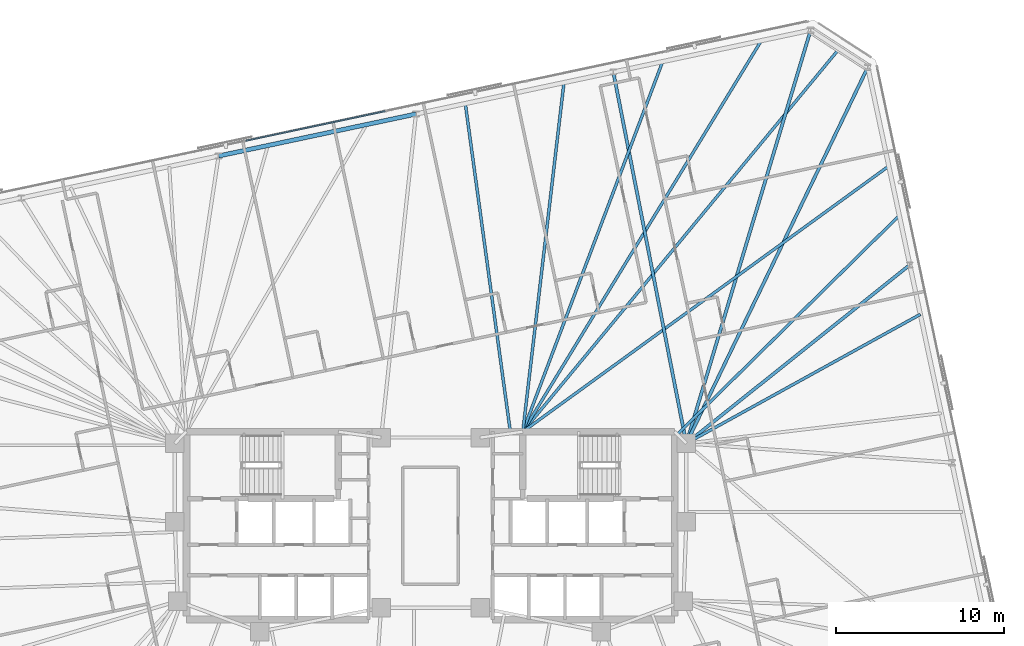
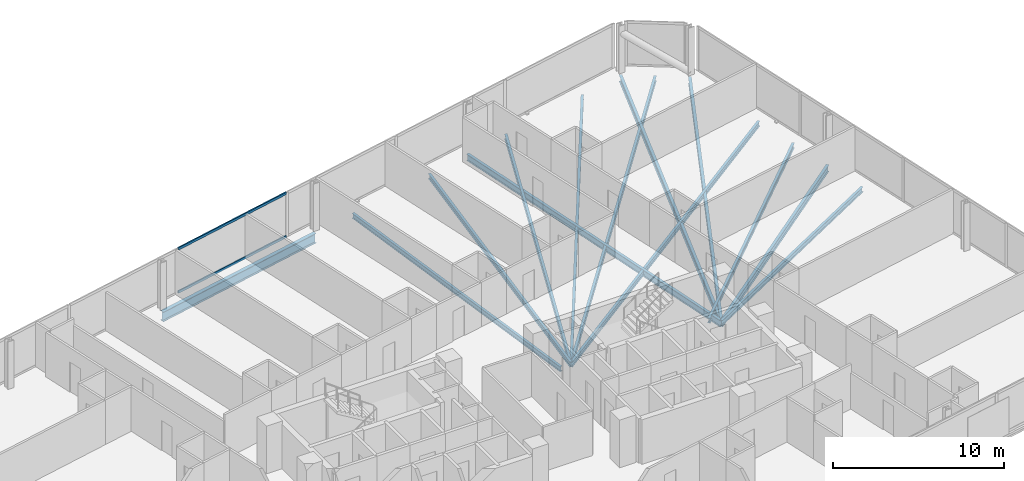
# One storey, part 10 of 20: 13 beams, 2 members, 1 element without a shape of its own.
"""IFC4 building model written with IfcOpenShell, lengths in metres."""

from ifc_helpers import new_model, si_unit, direction, frame, origin, origin_2d, place, context, subcontext, project, spatial, rectangle, i_section, extrude, material, material_profile, profile_set, type_object, element, aggregate, save


model = new_model("IFC4")

# Units and contexts
model_context = context("Model", 3, precision=1e-05, world=origin(), true_north=direction((0.0, 1.0)))
body_context = subcontext(model_context, "Body", "Model", "MODEL_VIEW")
ifc_project = project(units=[si_unit("LENGTHUNIT", "METRE"), si_unit("AREAUNIT", "SQUARE_METRE"), si_unit("VOLUMEUNIT", "CUBIC_METRE"), si_unit("PLANEANGLEUNIT", "RADIAN"), si_unit("MASSUNIT", "GRAM", prefix="KILO")], contexts=[model_context])

# Site, building, storey
site_placement = place(None, origin())
site = spatial("IfcSite", under=ifc_project, at=site_placement, CompositionType="ELEMENT")
building_placement = place(site_placement, origin())
building = spatial("IfcBuilding", under=site, at=building_placement, Name="Menara Jurai Vektor", CompositionType="ELEMENT")
storey_placement = place(building_placement, frame((0.0, 0.0, 178.60009765625)))
storey = spatial("IfcBuildingStorey", under=building, at=storey_placement, Name="L46", CompositionType="ELEMENT", Elevation=178.60009765625)

# Curtain wall, members
ifc_material_1 = material(Name="Anodised Pale Aluminium & Low-E Double Glazing", Category="aluminium")
curtain_wall_type = type_object("IfcCurtainWallType", Name="CW-BLK3", PredefinedType="NOTDEFINED", material=ifc_material_1)
curtain_wall_placement = place(storey_placement, origin())
curtain_wall = element("IfcCurtainWall", 1, at=curtain_wall_placement, inside=storey, type_object=curtain_wall_type, Name="Unitised Curtain Wall L46 F05", PredefinedType="NOTDEFINED")
ifc_material_2 = material(Name="Anodised Pale Aluminium Transom", Category="aluminium")
ifc_material_profile_1 = material_profile(ifc_material_2, rectangle(XDim=0.0849609375, YDim=0.175048828125, at=origin_2d()), Name="ALU TRN 85x175")
ifc_profile_set_1 = profile_set([ifc_material_profile_1], Name="Anodised Pale Aluminium Transom")
member_type = type_object("IfcMemberType", Name="CW-BLK3-TRN", PredefinedType="USERDEFINED", material=ifc_profile_set_1)
member_1_placement = place(storey_placement, frame((-2.716796875, 24.712890625, 0.04248046875), z_axis=(-0.978153589924, -0.207883511896, 0.0), x_axis=(0.207883511896, -0.978153589924, 0.0)))
member_1 = element("IfcMember", 2, at=member_1_placement, type_object=member_type, Name="CW-03 transom 4.1", ObjectType="TRANSOM", PredefinedType="USERDEFINED", context=body_context, shape_type="SweptSolid", body=[
    extrude(rectangle(XDim=0.0849609375, YDim=0.175048828125, at=origin_2d()), origin(), (0.0, 0.0, 1.0), 8.4921875),
])
member_2_placement = place(storey_placement, frame((-2.716796875, 24.712890625, 3.13232421875), z_axis=(-0.978153589924, -0.207883511896, 0.0), x_axis=(0.207883511896, -0.978153589924, 0.0)))
member_2 = element("IfcMember", 3, at=member_2_placement, type_object=member_type, Name="CW-03 transom 4.2", ObjectType="TRANSOM", PredefinedType="USERDEFINED", context=body_context, shape_type="SweptSolid", body=[
    extrude(rectangle(XDim=0.0849609375, YDim=0.175048828125, at=origin_2d()), origin(), (0.0, 0.0, 1.0), 8.4921875),
])
aggregate(curtain_wall, [member_1, member_2])

# Beams
ifc_material_3 = material(Name="Steel S355", Category="steel")
ifc_material_profile_2 = material_profile(ifc_material_3, i_section(OverallWidth=0.19091796875, OverallDepth=0.4599609375, WebThickness=0.010009765625, FlangeThickness=0.01611328125, FilletRadius=0.010009765625, at=origin_2d()), Name="UKB 457x191x82")
ifc_profile_set_2 = profile_set([ifc_material_profile_2], Name="Steel S355")
beam_type_1 = type_object("IfcBeamType", Name="STR-BM-457", PredefinedType="BEAM", material=ifc_profile_set_2)
beam_1_placement = place(storey_placement, frame((28.5771484375, 15.544921875, -0.455078125), z_axis=(-0.781346163898, -0.624097886683, 0.0), x_axis=(0.624097886683, -0.781346163898, 0.0)))
element("IfcBeam", 4, at=beam_1_placement, inside=storey, type_object=beam_type_1, Name="Radial Floor Girder L46-E3", PredefinedType="BEAM", context=body_context, shape_type="SweptSolid", body=[
    extrude(i_section(OverallWidth=0.19091796875, OverallDepth=0.4599609375, WebThickness=0.010009765625, FlangeThickness=0.01611328125, FilletRadius=0.010009765625, at=origin_2d()), origin(), (0.0, 0.0, 1.0), 17.056640625),
])
beam_2_placement = place(storey_placement, frame((26.0712890625, 27.33349609375, -0.455078125), z_axis=(-0.434465059539, -0.900688687639, 0.0), x_axis=(0.900688687639, -0.434465059539, 0.0)))
element("IfcBeam", 5, at=beam_2_placement, inside=storey, type_object=beam_type_1, Name="Radial Floor Girder L46-E4", PredefinedType="BEAM", context=body_context, shape_type="SweptSolid", body=[
    extrude(i_section(OverallWidth=0.19091796875, OverallDepth=0.4599609375, WebThickness=0.010009765625, FlangeThickness=0.01611328125, FilletRadius=0.010009765625, at=origin_2d()), origin(), (0.0, 0.0, 1.0), 24.9072265625),
])
beam_3_placement = place(storey_placement, frame((22.664794921875, 29.545654296875, -0.455078125), z_axis=(-0.288098843548, -0.957600676872, 0.0), x_axis=(0.957600676872, -0.288098843548, 0.0)))
element("IfcBeam", 6, at=beam_3_placement, inside=storey, type_object=beam_type_1, Name="Radial Floor Girder L46-N1", PredefinedType="BEAM", context=body_context, shape_type="SweptSolid", body=[
    extrude(i_section(OverallWidth=0.19091796875, OverallDepth=0.4599609375, WebThickness=0.010009765625, FlangeThickness=0.01611328125, FilletRadius=0.010009765625, at=origin_2d()), origin(), (0.0, 0.0, 1.0), 25.737060546875),
])
beam_4_placement = place(storey_placement, frame((10.896484375, 27.044189453125, -0.455078125), z_axis=(0.192905075816, -0.981217423268, 0.0), x_axis=(0.981217423268, 0.192905075816, 0.0)))
element("IfcBeam", 7, at=beam_4_placement, inside=storey, type_object=beam_type_1, Name="Radial Floor Girder L46-N2", PredefinedType="BEAM", context=body_context, shape_type="SweptSolid", body=[
    extrude(i_section(OverallWidth=0.19091796875, OverallDepth=0.4599609375, WebThickness=0.010009765625, FlangeThickness=0.01611328125, FilletRadius=0.010009765625, at=origin_2d()), origin(), (0.0, 0.0, 1.0), 22.568115234375),
])
ifc_material_profile_3 = material_profile(ifc_material_3, i_section(OverallWidth=0.172119140625, OverallDepth=0.35498046875, WebThickness=0.007080078125, FlangeThickness=0.011962890625, FilletRadius=0.010009765625, at=origin_2d()), Name="UKB 356x171x51")
ifc_profile_set_3 = profile_set([ifc_material_profile_3], Name="Steel S355")
beam_type_2 = type_object("IfcBeamType", Name="STR-JS-356", PredefinedType="JOIST", material=ifc_profile_set_3)
beam_5_placement = place(storey_placement, frame((29.20361328125, 12.597900390625, -0.402587890625), z_axis=(-0.875592207488, -0.483051018202, 0.0), x_axis=(0.483051018202, -0.875592207488, 0.0)))
element("IfcBeam", 8, at=beam_5_placement, inside=storey, type_object=beam_type_2, Name="Radial Secondary Floor Joist L46-JS14", PredefinedType="JOIST", context=body_context, shape_type="SweptSolid", body=[
    extrude(i_section(OverallWidth=0.172119140625, OverallDepth=0.35498046875, WebThickness=0.007080078125, FlangeThickness=0.011962890625, FilletRadius=0.010009765625, at=origin_2d()), origin(), (0.0, 0.0, 1.0), 15.936279296875),
])
beam_6_placement = place(storey_placement, frame((27.95068359375, 18.4921875, -0.402587890625), z_axis=(-0.712171791789, -0.702005227174, 0.0), x_axis=(0.702005227174, -0.712171791789, 0.0)))
element("IfcBeam", 9, at=beam_6_placement, inside=storey, type_object=beam_type_2, Name="Radial Secondary Floor Joist L46-JS15", PredefinedType="JOIST", context=body_context, shape_type="SweptSolid", body=[
    extrude(i_section(OverallWidth=0.172119140625, OverallDepth=0.35498046875, WebThickness=0.007080078125, FlangeThickness=0.011962890625, FilletRadius=0.010009765625, at=origin_2d()), origin(), (0.0, 0.0, 1.0), 18.5869140625),
])
beam_7_placement = place(storey_placement, frame((27.32421875, 21.439208984375, -0.402587890625), z_axis=(-0.809318640486, -0.587369847848, 0.0), x_axis=(0.587369847848, -0.809318640486, 0.0)))
element("IfcBeam", 10, at=beam_7_placement, inside=storey, type_object=beam_type_2, Name="Radial Secondary Floor Joist L46-JS16", PredefinedType="JOIST", context=body_context, shape_type="SweptSolid", body=[
    extrude(i_section(OverallWidth=0.172119140625, OverallDepth=0.35498046875, WebThickness=0.007080078125, FlangeThickness=0.011962890625, FilletRadius=0.010009765625, at=origin_2d()), origin(), (0.0, 0.0, 1.0), 26.966064453125),
])
beam_8_placement = place(storey_placement, frame((24.3681640625, 28.439697265625, -0.402587890625), z_axis=(-0.636894863934, -0.770950667873, 0.0), x_axis=(0.770950667873, -0.636894863934, 0.0)))
element("IfcBeam", 11, at=beam_8_placement, inside=storey, type_object=beam_type_2, Name="Radial Secondary Floor Joist L46-JS17", PredefinedType="JOIST", context=body_context, shape_type="SweptSolid", body=[
    extrude(i_section(OverallWidth=0.172119140625, OverallDepth=0.35498046875, WebThickness=0.007080078125, FlangeThickness=0.011962890625, FilletRadius=0.010009765625, at=origin_2d()), origin(), (0.0, 0.0, 1.0), 29.625244140625),
])
beam_9_placement = place(storey_placement, frame((19.72265625, 28.92041015625, -0.402587890625), z_axis=(-0.520686242997, -0.8537481106, 0.0), x_axis=(0.8537481106, -0.520686242997, 0.0)))
element("IfcBeam", 12, at=beam_9_placement, inside=storey, type_object=beam_type_2, Name="Radial Secondary Floor Joist L46-JS18", PredefinedType="JOIST", context=body_context, shape_type="SweptSolid", body=[
    extrude(i_section(OverallWidth=0.172119140625, OverallDepth=0.35498046875, WebThickness=0.007080078125, FlangeThickness=0.011962890625, FilletRadius=0.010009765625, at=origin_2d()), origin(), (0.0, 0.0, 1.0), 27.315185546875),
])
beam_10_placement = place(storey_placement, frame((13.838623046875, 27.669677734375, -0.402587890625), z_axis=(-0.353446048928, -0.935454910991, 0.0), x_axis=(0.935454910991, -0.353446048928, 0.0)))
element("IfcBeam", 13, at=beam_10_placement, inside=storey, type_object=beam_type_2, Name="Radial Secondary Floor Joist L46-JS19", PredefinedType="JOIST", context=body_context, shape_type="SweptSolid", body=[
    extrude(i_section(OverallWidth=0.172119140625, OverallDepth=0.35498046875, WebThickness=0.007080078125, FlangeThickness=0.011962890625, FilletRadius=0.010009765625, at=origin_2d()), origin(), (0.0, 0.0, 1.0), 23.59228515625),
])
beam_11_placement = place(storey_placement, frame((7.95458984375, 26.4189453125, -0.402587890625), z_axis=(-0.117091260338, -0.99312115915, 0.0), x_axis=(0.99312115915, -0.117091260338, 0.0)))
element("IfcBeam", 14, at=beam_11_placement, inside=storey, type_object=beam_type_2, Name="Radial Secondary Floor Joist L46-JS20", PredefinedType="JOIST", context=body_context, shape_type="SweptSolid", body=[
    extrude(i_section(OverallWidth=0.172119140625, OverallDepth=0.35498046875, WebThickness=0.007080078125, FlangeThickness=0.011962890625, FilletRadius=0.010009765625, at=origin_2d()), origin(), (0.0, 0.0, 1.0), 20.963134765625),
])
beam_12_placement = place(storey_placement, frame((2.0703125, 25.168212890625, -0.402587890625), z_axis=(0.135985700778, -0.990710799973, 0.0), x_axis=(0.990710799973, 0.135985700778, 0.0)))
element("IfcBeam", 15, at=beam_12_placement, inside=storey, type_object=beam_type_2, Name="Radial Secondary Floor Joist L46-JS21", PredefinedType="JOIST", context=body_context, shape_type="SweptSolid", body=[
    extrude(i_section(OverallWidth=0.172119140625, OverallDepth=0.35498046875, WebThickness=0.007080078125, FlangeThickness=0.011962890625, FilletRadius=0.010009765625, at=origin_2d()), origin(), (0.0, 0.0, 1.0), 19.852783203125),
])
ifc_material_4 = material(Name="Steel S460", Category="steel")
ifc_material_profile_4 = material_profile(ifc_material_4, i_section(OverallWidth=0.256103515625, OverallDepth=0.693115234375, WebThickness=0.013916015625, FlangeThickness=0.02392578125, FilletRadius=0.014892578125, at=origin_2d()), Name="UKB 686x254x170")
ifc_profile_set_4 = profile_set([ifc_material_profile_4], Name="Steel S460")
beam_type_3 = type_object("IfcBeamType", Name="STR-SP-686", PredefinedType="SPANDREL", material=ifc_profile_set_4)
beam_13_placement = place(storey_placement, frame((-0.87158203125, 24.54296875, -0.571533203125), z_axis=(-0.978147039247, -0.207914332389, 0.0), x_axis=(0.207914332389, -0.978147039247, 0.0)))
element("IfcBeam", 16, at=beam_13_placement, inside=storey, type_object=beam_type_3, Name="Exoskeleton Spandrel Beam L46-13", PredefinedType="SPANDREL", context=body_context, shape_type="SweptSolid", body=[
    extrude(i_section(OverallWidth=0.256103515625, OverallDepth=0.693115234375, WebThickness=0.013916015625, FlangeThickness=0.02392578125, FilletRadius=0.014892578125, at=origin_2d()), origin(), (0.0, 0.0, 1.0), 12.03125),
])

save(model, "model.ifc")
